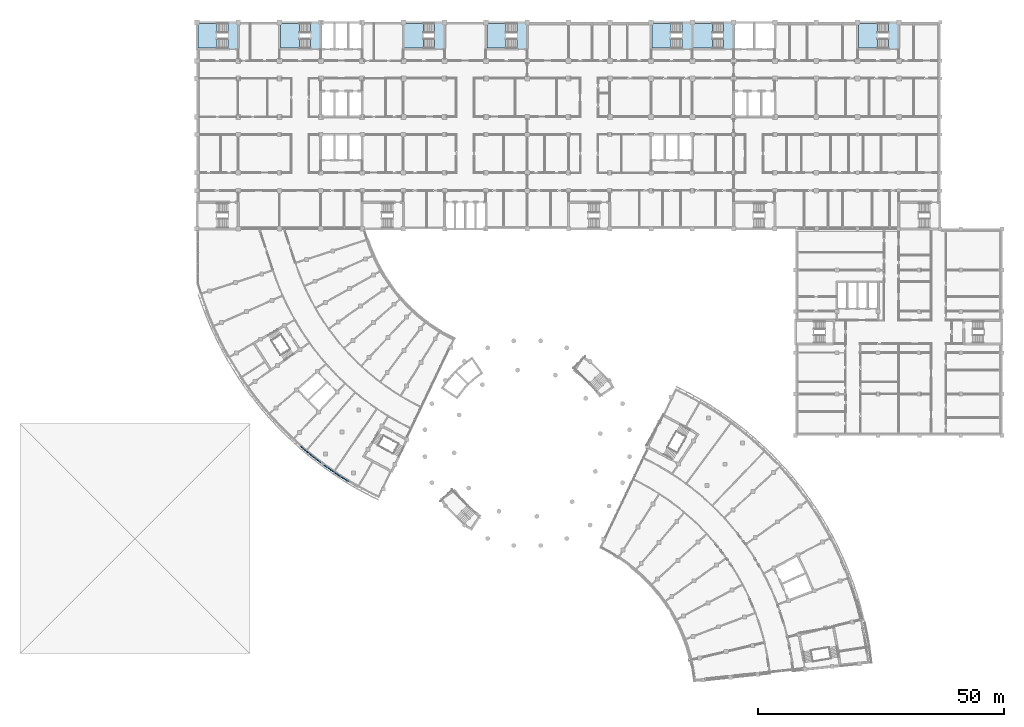
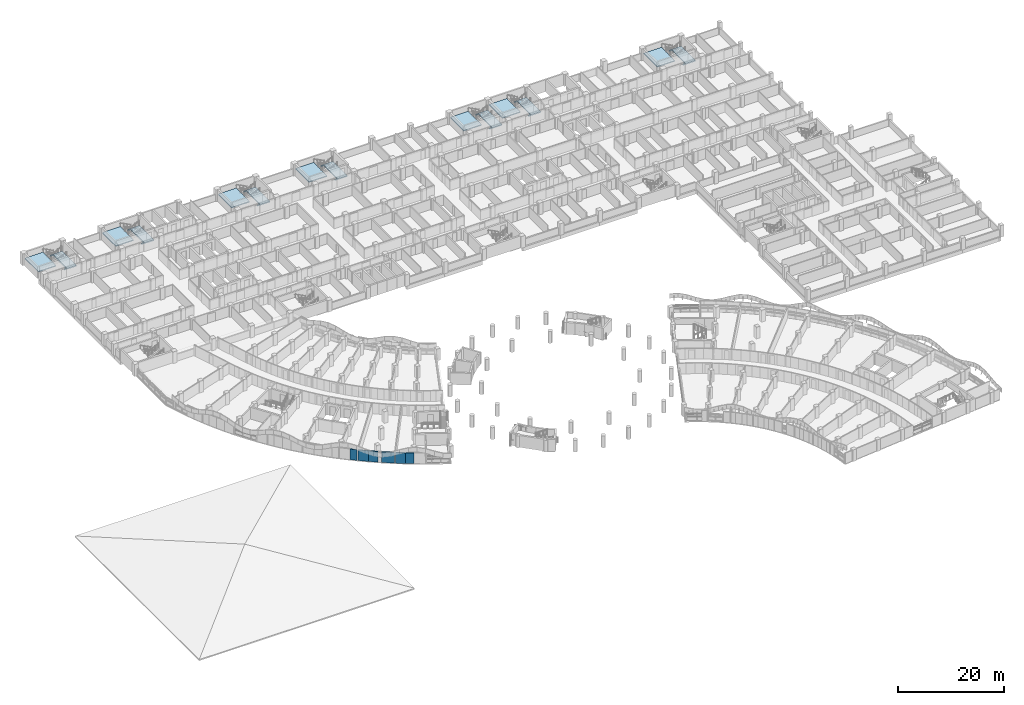
# One storey, part 36 of 89: 14 slabs, 6 walls, 7 elements without a shape of their own.
"""IFC4 building model written with IfcOpenShell, lengths in metres."""

from ifc_helpers import new_model, si_unit, direction, frame, frame_2d, origin, place, context, subcontext, project, spatial, polyline, rectangle, outline, extrude, material, layer, layer_set, type_object, element, aggregate, save


model = new_model("IFC4")

# Units and contexts
model_context = context("Model", 3, precision=1e-05, world=origin(), true_north=direction((0.0, 1.0)))
body_context = subcontext(model_context, "Body", "Model", "MODEL_VIEW")
ifc_project = project(units=[si_unit("LENGTHUNIT", "METRE"), si_unit("AREAUNIT", "SQUARE_METRE"), si_unit("VOLUMEUNIT", "CUBIC_METRE"), si_unit("PLANEANGLEUNIT", "RADIAN"), si_unit("MASSUNIT", "GRAM", prefix="KILO")], contexts=[model_context])

# Site, building, storey
site_placement = place(None, origin())
site = spatial("IfcSite", under=ifc_project, at=site_placement, CompositionType="ELEMENT")
building_placement = place(site_placement, origin())
building = spatial("IfcBuilding", under=site, at=building_placement, Name="Bougainvillea Quay General Hospital", CompositionType="ELEMENT")
storey_placement = place(building_placement, frame((0.0, 0.0, 9.89990234375)))
storey = spatial("IfcBuildingStorey", under=building, at=storey_placement, Name="L01M", CompositionType="ELEMENT", Elevation=9.89990234375)

# Slabs
ifc_material_1 = material(Name="Concrete C35", Category="concrete")
ifc_layer_1 = layer(ifc_material_1, 0.25)
ifc_layer_set_1 = layer_set([ifc_layer_1], Name="Concrete C35")
slab_type_1 = type_object("IfcSlabType", Name="RC FLAT SLAB 250 C35", PredefinedType="FLOOR", material=ifc_layer_set_1)
slab_1_placement = place(storey_placement, frame((0.0, 0.0, -0.25)))
element("IfcSlab", 1, at=slab_1_placement, inside=storey, type_object=slab_type_1, Name="Stair landing floor ST-D1 L01M", PredefinedType="FLOOR", context=body_context, shape_type="SweptSolid", body=[
    extrude(outline(polyline([(64.5029296875, 159.48388671875), (64.511474609375, 159.5419921875), (64.52587890625, 159.599609375), (67.199951171875, 159.60009765625), (67.199951171875, 154.199951171875), (64.52587890625, 154.200439453125), (64.511474609375, 154.2578125), (64.5029296875, 154.316162109375), (64.5, 154.3740234375), (65.1005859375, 154.374267578125), (65.1005859375, 159.425537109375), (64.5, 159.426025390625), (64.5029296875, 159.48388671875)])), origin(), (0.0, 0.0, 1.0), 0.25),
])
slab_2_placement = place(storey_placement, frame((0.0, 0.0, -0.25)))
element("IfcSlab", 2, at=slab_2_placement, inside=storey, type_object=slab_type_1, Name="Stair landing floor ST-D3 L01M", PredefinedType="FLOOR", context=body_context, shape_type="SweptSolid", body=[
    extrude(outline(polyline([(148.5029296875, 159.48388671875), (148.511474609375, 159.5419921875), (148.52587890625, 159.599609375), (151.199951171875, 159.60009765625), (151.199951171875, 154.199951171875), (148.52587890625, 154.200439453125), (148.511474609375, 154.2578125), (148.5029296875, 154.316162109375), (148.5, 154.3740234375), (149.1005859375, 154.374267578125), (149.1005859375, 159.425537109375), (148.5, 159.426025390625), (148.5029296875, 159.48388671875)])), origin(), (0.0, 0.0, 1.0), 0.25),
])
slab_3_placement = place(storey_placement, frame((0.0, 0.0, -0.25)))
element("IfcSlab", 3, at=slab_3_placement, inside=storey, type_object=slab_type_1, Name="Stair landing floor ST-A1 L01M", PredefinedType="FLOOR", context=body_context, shape_type="SweptSolid", body=[
    extrude(outline(polyline([(47.702880859375, 159.48388671875), (47.71142578125, 159.5419921875), (47.725830078125, 159.599609375), (50.39990234375, 159.60009765625), (50.39990234375, 154.199951171875), (47.725830078125, 154.200439453125), (47.71142578125, 154.2578125), (47.702880859375, 154.316162109375), (47.699951171875, 154.3740234375), (48.300537109375, 154.374267578125), (48.300537109375, 159.425537109375), (47.699951171875, 159.426025390625), (47.702880859375, 159.48388671875)])), origin(), (0.0, 0.0, 1.0), 0.25),
])
slab_4_placement = place(storey_placement, frame((0.0, 0.0, -0.25)))
element("IfcSlab", 4, at=slab_4_placement, inside=storey, type_object=slab_type_1, Name="Stair landing floor ST-A2 L01M", PredefinedType="FLOOR", context=body_context, shape_type="SweptSolid", body=[
    extrude(outline(polyline([(89.702880859375, 159.48388671875), (89.71142578125, 159.5419921875), (89.725830078125, 159.599609375), (92.39990234375, 159.60009765625), (92.39990234375, 154.199951171875), (89.725830078125, 154.200439453125), (89.71142578125, 154.2578125), (89.702880859375, 154.316162109375), (89.699951171875, 154.3740234375), (90.300537109375, 154.374267578125), (90.300537109375, 159.425537109375), (89.699951171875, 159.426025390625), (89.702880859375, 159.48388671875)])), origin(), (0.0, 0.0, 1.0), 0.25),
])
slab_5_placement = place(storey_placement, frame((0.0, 0.0, -0.25)))
element("IfcSlab", 5, at=slab_5_placement, inside=storey, type_object=slab_type_1, Name="Stair landing floor ST-A3 L01M", PredefinedType="FLOOR", context=body_context, shape_type="SweptSolid", body=[
    extrude(outline(polyline([(140.102783203125, 159.48388671875), (140.111572265625, 159.5419921875), (140.1259765625, 159.599609375), (142.800048828125, 159.60009765625), (142.800048828125, 154.199951171875), (140.1259765625, 154.200439453125), (140.111572265625, 154.2578125), (140.102783203125, 154.316162109375), (140.10009765625, 154.3740234375), (140.70068359375, 154.374267578125), (140.70068359375, 159.425537109375), (140.10009765625, 159.426025390625), (140.102783203125, 159.48388671875)])), origin(), (0.0, 0.0, 1.0), 0.25),
])
slab_6_placement = place(storey_placement, frame((0.0, 0.0, -0.25)))
element("IfcSlab", 6, at=slab_6_placement, inside=storey, type_object=slab_type_1, Name="Stair landing floor ST-A4 L01M", PredefinedType="FLOOR", context=body_context, shape_type="SweptSolid", body=[
    extrude(outline(polyline([(182.102783203125, 159.48388671875), (182.111572265625, 159.5419921875), (182.1259765625, 159.599609375), (184.800048828125, 159.60009765625), (184.800048828125, 154.199951171875), (182.1259765625, 154.200439453125), (182.111572265625, 154.2578125), (182.102783203125, 154.316162109375), (182.10009765625, 154.3740234375), (182.70068359375, 154.374267578125), (182.70068359375, 159.425537109375), (182.10009765625, 159.426025390625), (182.102783203125, 159.48388671875)])), origin(), (0.0, 0.0, 1.0), 0.25),
])
slab_7_placement = place(storey_placement, frame((0.0, 0.0, -0.25)))
element("IfcSlab", 7, at=slab_7_placement, inside=storey, type_object=slab_type_1, Name="Stair landing floor ST-A5 L01M", PredefinedType="FLOOR", context=body_context, shape_type="SweptSolid", body=[
    extrude(outline(polyline([(106.5029296875, 159.48388671875), (106.511474609375, 159.5419921875), (106.52587890625, 159.599609375), (109.199951171875, 159.60009765625), (109.199951171875, 154.199951171875), (106.52587890625, 154.200439453125), (106.511474609375, 154.2578125), (106.5029296875, 154.316162109375), (106.5, 154.3740234375), (107.1005859375, 154.374267578125), (107.1005859375, 159.425537109375), (106.5, 159.426025390625), (106.5029296875, 159.48388671875)])), origin(), (0.0, 0.0, 1.0), 0.25),
])

# Stair, slab
stair_type = type_object("IfcStairType", Name="Stair half-turn 1925 wide", PredefinedType="HALF_TURN_STAIR", material=ifc_material_1)
stair_1_placement = place(storey_placement, origin())
stair_1 = element("IfcStair", 8, at=stair_1_placement, inside=storey, type_object=stair_type, Name="L01M stair ST-D1", PredefinedType="HALF_TURN_STAIR")
ifc_layer_2 = layer(ifc_material_1, 0.199951171875)
ifc_layer_set_2 = layer_set([ifc_layer_2], Name="Concrete C35")
slab_type_2 = type_object("IfcSlabType", Name="Stair landing 200", PredefinedType="LANDING", material=ifc_layer_set_2)
slab_8_placement = place(storey_placement, frame((0.0, 0.0, 1.150146484375)))
slab_8 = element("IfcSlab", 9, at=slab_8_placement, type_object=slab_type_2, Name="ST-D1 landing 1", PredefinedType="LANDING", context=body_context, shape_type="SweptSolid", body=[
    extrude(outline(polyline([(62.860107421875, 159.425048828125), (58.97509765625, 159.425048828125), (58.97509765625, 154.375), (62.860107421875, 154.375), (62.860107421875, 159.425048828125)])), origin(), (0.0, 0.0, 1.0), 0.199951171875),
])
aggregate(stair_1, [slab_8])

stair_2_placement = place(storey_placement, origin())
stair_2 = element("IfcStair", 10, at=stair_2_placement, inside=storey, type_object=stair_type, Name="L01M stair ST-D3", PredefinedType="HALF_TURN_STAIR")
slab_9_placement = place(storey_placement, frame((0.0, 0.0, 1.150146484375)))
slab_9 = element("IfcSlab", 11, at=slab_9_placement, type_object=slab_type_2, Name="ST-D3 landing 1", PredefinedType="LANDING", context=body_context, shape_type="SweptSolid", body=[
    extrude(outline(polyline([(146.860107421875, 159.425048828125), (142.97509765625, 159.425048828125), (142.97509765625, 154.375), (146.860107421875, 154.375), (146.860107421875, 159.425048828125)])), origin(), (0.0, 0.0, 1.0), 0.199951171875),
])
aggregate(stair_2, [slab_9])

stair_3_placement = place(storey_placement, origin())
stair_3 = element("IfcStair", 12, at=stair_3_placement, inside=storey, type_object=stair_type, Name="L01M stair ST-A1", PredefinedType="HALF_TURN_STAIR")
slab_10_placement = place(storey_placement, frame((0.0, 0.0, 1.150146484375)))
slab_10 = element("IfcSlab", 13, at=slab_10_placement, type_object=slab_type_2, Name="ST-A1 landing 1", PredefinedType="LANDING", context=body_context, shape_type="SweptSolid", body=[
    extrude(outline(polyline([(46.06005859375, 159.425048828125), (42.175048828125, 159.425048828125), (42.175048828125, 154.375), (46.06005859375, 154.375), (46.06005859375, 159.425048828125)])), origin(), (0.0, 0.0, 1.0), 0.199951171875),
])
aggregate(stair_3, [slab_10])

stair_4_placement = place(storey_placement, origin())
stair_4 = element("IfcStair", 14, at=stair_4_placement, inside=storey, type_object=stair_type, Name="L01M stair ST-A2", PredefinedType="HALF_TURN_STAIR")
slab_11_placement = place(storey_placement, frame((0.0, 0.0, 1.150146484375)))
slab_11 = element("IfcSlab", 15, at=slab_11_placement, type_object=slab_type_2, Name="ST-A2 landing 1", PredefinedType="LANDING", context=body_context, shape_type="SweptSolid", body=[
    extrude(outline(polyline([(88.06005859375, 159.425048828125), (84.175048828125, 159.425048828125), (84.175048828125, 154.375), (88.06005859375, 154.375), (88.06005859375, 159.425048828125)])), origin(), (0.0, 0.0, 1.0), 0.199951171875),
])
aggregate(stair_4, [slab_11])

stair_5_placement = place(storey_placement, origin())
stair_5 = element("IfcStair", 16, at=stair_5_placement, inside=storey, type_object=stair_type, Name="L01M stair ST-A3", PredefinedType="HALF_TURN_STAIR")
slab_12_placement = place(storey_placement, frame((0.0, 0.0, 1.150146484375)))
slab_12 = element("IfcSlab", 17, at=slab_12_placement, type_object=slab_type_2, Name="ST-A3 landing 1", PredefinedType="LANDING", context=body_context, shape_type="SweptSolid", body=[
    extrude(outline(polyline([(138.4599609375, 159.425048828125), (134.574951171875, 159.425048828125), (134.574951171875, 154.375), (138.4599609375, 154.375), (138.4599609375, 159.425048828125)])), origin(), (0.0, 0.0, 1.0), 0.199951171875),
])
aggregate(stair_5, [slab_12])

stair_6_placement = place(storey_placement, origin())
stair_6 = element("IfcStair", 18, at=stair_6_placement, inside=storey, type_object=stair_type, Name="L01M stair ST-A4", PredefinedType="HALF_TURN_STAIR")
slab_13_placement = place(storey_placement, frame((0.0, 0.0, 1.150146484375)))
slab_13 = element("IfcSlab", 19, at=slab_13_placement, type_object=slab_type_2, Name="ST-A4 landing 1", PredefinedType="LANDING", context=body_context, shape_type="SweptSolid", body=[
    extrude(outline(polyline([(180.4599609375, 159.425048828125), (176.574951171875, 159.425048828125), (176.574951171875, 154.375), (180.4599609375, 154.375), (180.4599609375, 159.425048828125)])), origin(), (0.0, 0.0, 1.0), 0.199951171875),
])
aggregate(stair_6, [slab_13])

stair_7_placement = place(storey_placement, origin())
stair_7 = element("IfcStair", 20, at=stair_7_placement, inside=storey, type_object=stair_type, Name="L01M stair ST-A5", PredefinedType="HALF_TURN_STAIR")
slab_14_placement = place(storey_placement, frame((0.0, 0.0, 1.150146484375)))
slab_14 = element("IfcSlab", 21, at=slab_14_placement, type_object=slab_type_2, Name="ST-A5 landing 1", PredefinedType="LANDING", context=body_context, shape_type="SweptSolid", body=[
    extrude(outline(polyline([(104.860107421875, 159.425048828125), (100.97509765625, 159.425048828125), (100.97509765625, 154.375), (104.860107421875, 154.375), (104.860107421875, 159.425048828125)])), origin(), (0.0, 0.0, 1.0), 0.199951171875),
])
aggregate(stair_7, [slab_14])

# Walls
ifc_material_2 = material(Name="Fire-rated autoclaved aerated block wall, plastered")
ifc_layer_3 = layer(ifc_material_2, 0.199951171875)
ifc_layer_set_3 = layer_set([ifc_layer_3], Name="Fire-rated autoclaved aerated block wall, plastered")
wall_type = type_object("IfcWallType", Name="Partition 200 Fire-rated autoclaved aerated block wall EI 60", PredefinedType="SOLIDWALL", material=ifc_layer_set_3)
wall_1_placement = place(storey_placement, frame((67.793212890625, 69.563720703125, 0.0), z_axis=(0.0, 0.0, 1.0), x_axis=(0.81690868914, -0.576767018481, 0.0)))
element("IfcWall", 22, at=wall_1_placement, inside=storey, type_object=wall_type, Name="Partition 200 mm EI 60", PredefinedType="SOLIDWALL", context=body_context, shape_type="SweptSolid", body=[
    extrude(rectangle(XDim=2.4013671875, YDim=0.199951171875, at=frame_2d((1.20068359375, 0.0))), origin(), (0.0, 0.0, 1.0), 2.4501953125),
])
wall_2_placement = place(storey_placement, frame((64.25830078125, 72.33984375, 0.0), z_axis=(0.0, 0.0, 1.0), x_axis=(0.77420076789, -0.63294010064, 0.0)))
element("IfcWall", 23, at=wall_2_placement, inside=storey, type_object=wall_type, Name="Partition 200 mm EI 60", PredefinedType="SOLIDWALL", context=body_context, shape_type="SweptSolid", body=[
    extrude(rectangle(XDim=2.010009765625, YDim=0.199951171875, at=frame_2d((1.0048828125, 0.0))), origin(), (0.0, 0.0, 1.0), 2.4501953125),
])
wall_3_placement = place(storey_placement, frame((69.92236328125, 68.064208984375, 0.0), z_axis=(0.0, 0.0, 1.0), x_axis=(0.833721491231, -0.552185181855, 0.0)))
element("IfcWall", 24, at=wall_3_placement, inside=storey, type_object=wall_type, Name="Partition 200 mm EI 60", PredefinedType="SOLIDWALL", context=body_context, shape_type="SweptSolid", body=[
    extrude(rectangle(XDim=1.906005859375, YDim=0.199951171875, at=frame_2d((0.953125, 0.0))), origin(), (0.0, 0.0, 1.0), 2.4501953125),
])
wall_4_placement = place(storey_placement, frame((65.81396484375, 71.071533203125, 0.0), z_axis=(0.0, 0.0, 1.0), x_axis=(0.791456638145, -0.611225318468, 0.0)))
element("IfcWall", 25, at=wall_4_placement, inside=storey, type_object=wall_type, Name="Partition 200 mm EI 60", PredefinedType="SOLIDWALL", context=body_context, shape_type="SweptSolid", body=[
    extrude(rectangle(XDim=1.75146484375, YDim=0.199951171875, at=frame_2d((0.875732421875, 0.0))), origin(), (0.0, 0.0, 1.0), 2.4501953125),
])
wall_5_placement = place(storey_placement, frame((71.510498046875, 67.015380859375, 0.0), z_axis=(0.0, 0.0, 1.0), x_axis=(0.848694716207, -0.528883048208, 0.0)))
element("IfcWall", 26, at=wall_5_placement, inside=storey, type_object=wall_type, Name="Partition 200 mm EI 60", PredefinedType="SOLIDWALL", context=body_context, shape_type="SweptSolid", body=[
    extrude(rectangle(XDim=1.55419921875, YDim=0.199951171875, at=frame_2d((0.777099609375, 0.0))), origin(), (0.0, 0.0, 1.0), 2.4501953125),
])
wall_6_placement = place(storey_placement, frame((63.123779296875, 73.307861328125, 0.0), z_axis=(0.0, 0.0, 1.0), x_axis=(0.759710880376, -0.650261007779, 0.0)))
element("IfcWall", 27, at=wall_6_placement, inside=storey, type_object=wall_type, Name="Partition 200 mm EI 60", PredefinedType="SOLIDWALL", context=body_context, shape_type="SweptSolid", body=[
    extrude(rectangle(XDim=1.289306640625, YDim=0.199951171875, at=frame_2d((0.64453125, 0.0))), origin(), (0.0, 0.0, 1.0), 2.4501953125),
])

save(model, "model.ifc")
